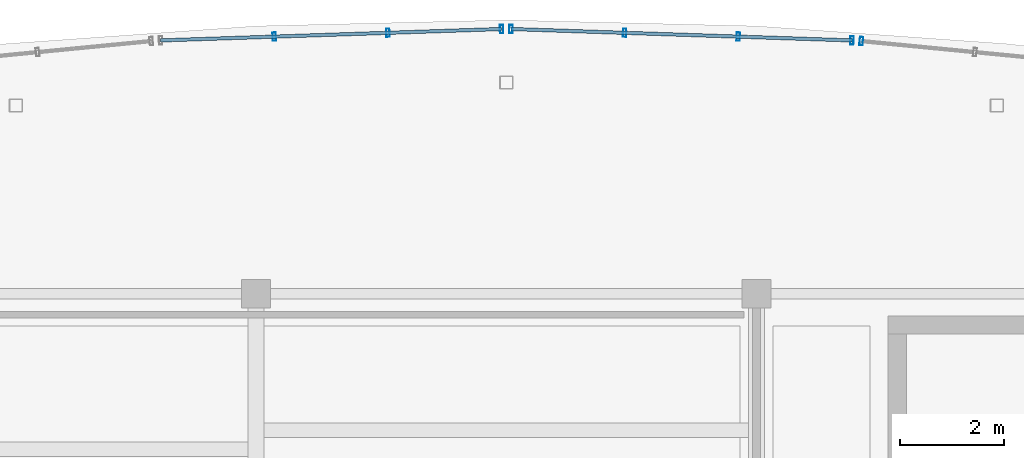
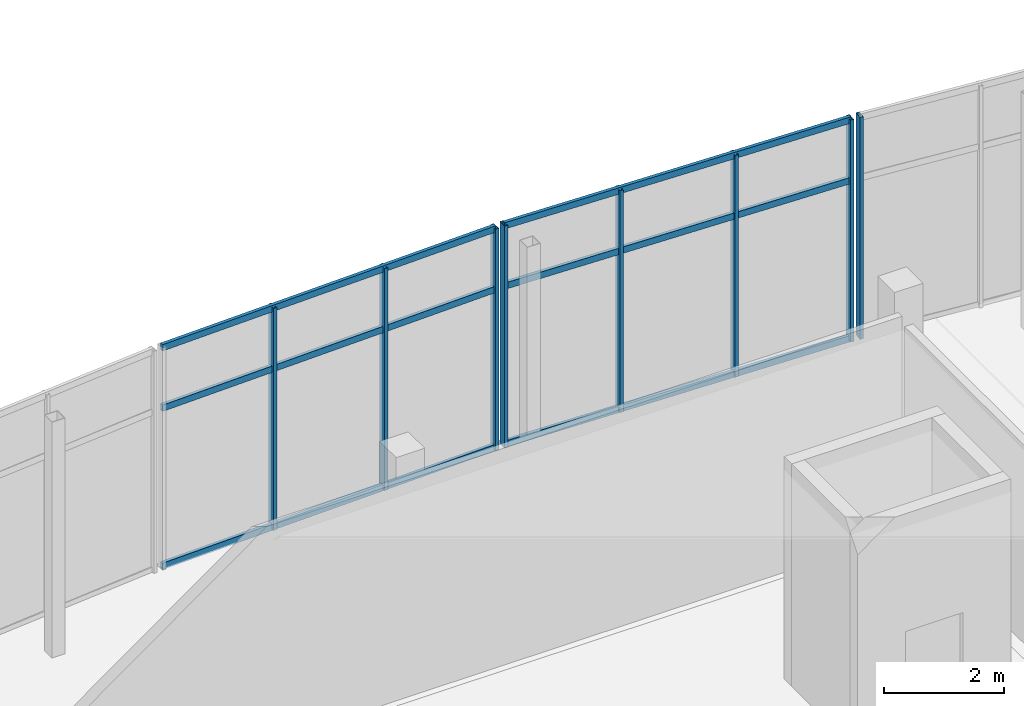
# One storey, part 96 of 157: 14 members, 3 elements without a shape of their own.
"""IFC4 building model written with IfcOpenShell, lengths in metres."""

from ifc_helpers import new_model, si_unit, direction, frame, origin, origin_2d, place, context, subcontext, project, spatial, hollow_rectangle, extrude, material, layer, layer_set, material_profile, profile_set, type_object, element, aggregate, save


model = new_model("IFC4")

# Units and contexts
model_context = context("Model", 3, precision=1e-05, world=origin(), true_north=direction((0.0, 1.0)))
body_context = subcontext(model_context, "Body", "Model", "MODEL_VIEW")
ifc_project = project(units=[si_unit("LENGTHUNIT", "METRE"), si_unit("AREAUNIT", "SQUARE_METRE"), si_unit("VOLUMEUNIT", "CUBIC_METRE"), si_unit("PLANEANGLEUNIT", "RADIAN"), si_unit("MASSUNIT", "GRAM", prefix="KILO")], contexts=[model_context])

# Site, building, storey
site_placement = place(None, origin())
site = spatial("IfcSite", under=ifc_project, at=site_placement, CompositionType="ELEMENT")
building_placement = place(site_placement, origin())
building = spatial("IfcBuilding", under=site, at=building_placement, Name="Chalmorin Arch Market", CompositionType="ELEMENT")
storey_placement = place(building_placement, frame((0.0, 0.0, 4.800048828125)))
storey = spatial("IfcBuildingStorey", under=building, at=storey_placement, Name="L01", CompositionType="ELEMENT", Elevation=4.800048828125)

# Curtain wall, members
ifc_material = material(Name="Aluminium 6063-T6", Category="aluminium")
ifc_layer_1 = layer(ifc_material, 0.159912109375)
ifc_layer_set_1 = layer_set([ifc_layer_1], Name="Aluminium 6063-T6")
curtain_wall_type_1 = type_object("IfcCurtainWallType", Name="CulinaryStudioCurtainWall-CW3-6540x4520", PredefinedType="NOTDEFINED", material=ifc_layer_set_1)
curtain_wall_1_placement = place(storey_placement, origin())
curtain_wall_1 = element("IfcCurtainWall", 1, at=curtain_wall_1_placement, inside=storey, type_object=curtain_wall_type_1, Name="CW-03-133", PredefinedType="NOTDEFINED")
ifc_material_profile_1 = material_profile(ifc_material, hollow_rectangle(XDim=0.06494140625, YDim=0.159912109375, WallThickness=0.00390625, at=origin_2d()), Name="ALU65X160X4")
ifc_profile_set_1 = profile_set([ifc_material_profile_1], Name="Aluminium 6063-T6")
member_type_1 = type_object("IfcMemberType", Name="CurtainWallMullion-65x160", PredefinedType="MULLION", material=ifc_profile_set_1)
member_1_placement = place(storey_placement, frame((77.14990234375, 122.930908203125, 0.0), z_axis=(0.0, 0.0, 1.0), x_axis=(0.999390827019, 0.034899496703, 0.0)))
member_1 = element("IfcMember", 2, at=member_1_placement, type_object=member_type_1, Name="ML-133-02", PredefinedType="MULLION", context=body_context, shape_type="SweptSolid", body=[
    extrude(hollow_rectangle(XDim=0.06494140625, YDim=0.159912109375, WallThickness=0.00390625, at=origin_2d()), origin(), (0.0, 0.0, 1.0), 4.52001953125),
])
member_2_placement = place(storey_placement, frame((79.330078125, 123.00390625, 0.0), z_axis=(0.0, 0.0, 1.0), x_axis=(0.999390827019, 0.034899496703, 0.0)))
member_2 = element("IfcMember", 3, at=member_2_placement, type_object=member_type_1, Name="ML-133-03", PredefinedType="MULLION", context=body_context, shape_type="SweptSolid", body=[
    extrude(hollow_rectangle(XDim=0.06494140625, YDim=0.159912109375, WallThickness=0.00390625, at=origin_2d()), origin(), (0.0, 0.0, 1.0), 4.52001953125),
])
member_3_placement = place(storey_placement, frame((81.510009765625, 123.076904296875, 0.0), z_axis=(0.0, 0.0, 1.0), x_axis=(0.999390827019, 0.034899496703, 0.0)))
member_3 = element("IfcMember", 4, at=member_3_placement, type_object=member_type_1, Name="ML-133-04", PredefinedType="MULLION", context=body_context, shape_type="SweptSolid", body=[
    extrude(hollow_rectangle(XDim=0.06494140625, YDim=0.159912109375, WallThickness=0.00390625, at=origin_2d()), origin(), (0.0, 0.0, 1.0), 4.52001953125),
])

curtain_wall_2_placement = place(storey_placement, origin())
curtain_wall_2 = element("IfcCurtainWall", 5, at=curtain_wall_2_placement, inside=storey, type_object=curtain_wall_type_1, Name="CW-03-136", PredefinedType="NOTDEFINED")
member_4_placement = place(storey_placement, frame((81.68994140625, 123.076904296875, 0.0), z_axis=(0.0, 0.0, 1.0), x_axis=(0.999390827019, -0.034899496703, 0.0)))
member_4 = element("IfcMember", 6, at=member_4_placement, type_object=member_type_1, Name="ML-136-01", PredefinedType="MULLION", context=body_context, shape_type="SweptSolid", body=[
    extrude(hollow_rectangle(XDim=0.06494140625, YDim=0.159912109375, WallThickness=0.00390625, at=origin_2d()), origin(), (0.0, 0.0, 1.0), 4.52001953125),
])
member_5_placement = place(storey_placement, frame((83.8701171875, 123.00390625, 0.0), z_axis=(0.0, 0.0, 1.0), x_axis=(0.999390827019, -0.034899496703, 0.0)))
member_5 = element("IfcMember", 7, at=member_5_placement, type_object=member_type_1, Name="ML-136-02", PredefinedType="MULLION", context=body_context, shape_type="SweptSolid", body=[
    extrude(hollow_rectangle(XDim=0.06494140625, YDim=0.159912109375, WallThickness=0.00390625, at=origin_2d()), origin(), (0.0, 0.0, 1.0), 4.52001953125),
])
member_6_placement = place(storey_placement, frame((86.050048828125, 122.930908203125, 0.0), z_axis=(0.0, 0.0, 1.0), x_axis=(0.999390827019, -0.034899496703, 0.0)))
member_6 = element("IfcMember", 8, at=member_6_placement, type_object=member_type_1, Name="ML-136-03", PredefinedType="MULLION", context=body_context, shape_type="SweptSolid", body=[
    extrude(hollow_rectangle(XDim=0.06494140625, YDim=0.159912109375, WallThickness=0.00390625, at=origin_2d()), origin(), (0.0, 0.0, 1.0), 4.52001953125),
])
member_7_placement = place(storey_placement, frame((88.22998046875, 122.85791015625, 0.0), z_axis=(0.0, 0.0, 1.0), x_axis=(0.999390827019, -0.034899496703, 0.0)))
member_7 = element("IfcMember", 9, at=member_7_placement, type_object=member_type_1, Name="ML-136-04", PredefinedType="MULLION", context=body_context, shape_type="SweptSolid", body=[
    extrude(hollow_rectangle(XDim=0.06494140625, YDim=0.159912109375, WallThickness=0.00390625, at=origin_2d()), origin(), (0.0, 0.0, 1.0), 4.52001953125),
])

# Curtain wall, member
ifc_layer_2 = layer(ifc_material, 0.159912109375)
ifc_layer_set_2 = layer_set([ifc_layer_2], Name="Aluminium 6063-T6")
curtain_wall_type_2 = type_object("IfcCurtainWallType", Name="CulinaryStudioCurtainWall-CW3-6570x4520", PredefinedType="NOTDEFINED", material=ifc_layer_set_2)
curtain_wall_3_placement = place(storey_placement, origin())
curtain_wall_3 = element("IfcCurtainWall", 10, at=curtain_wall_3_placement, inside=storey, type_object=curtain_wall_type_2, Name="CW-03-139", PredefinedType="NOTDEFINED")
member_8_placement = place(storey_placement, frame((88.40966796875, 122.84619140625, 0.0), z_axis=(0.0, 0.0, 1.0), x_axis=(0.994521895368, -0.104528463268, 0.0)))
member_8 = element("IfcMember", 11, at=member_8_placement, type_object=member_type_1, Name="ML-139-01", PredefinedType="MULLION", context=body_context, shape_type="SweptSolid", body=[
    extrude(hollow_rectangle(XDim=0.06494140625, YDim=0.159912109375, WallThickness=0.00390625, at=origin_2d()), origin(), (0.0, 0.0, 1.0), 4.52001953125),
])
aggregate(curtain_wall_3, [member_8])

# Member
ifc_material_profile_2 = material_profile(ifc_material, hollow_rectangle(XDim=0.06494140625, YDim=0.1298828125, WallThickness=0.00390625, at=origin_2d()), Name="ALU65X130X4")
ifc_profile_set_2 = profile_set([ifc_material_profile_2], Name="Aluminium 6063-T6")
member_type_2 = type_object("IfcMemberType", Name="CurtainWallTransom-65x130", PredefinedType="USERDEFINED", material=ifc_profile_set_2)
member_9_placement = place(storey_placement, frame((74.969970703125, 122.85791015625, 0.034912109375), z_axis=(0.999439843627, 0.033466385685, 0.0), x_axis=(-0.033466385685, 0.999439843627, 0.0)))
member_9 = element("IfcMember", 12, at=member_9_placement, type_object=member_type_2, Name="TR-133-01", ObjectType="TRANSOM", PredefinedType="USERDEFINED", context=body_context, shape_type="SweptSolid", body=[
    extrude(hollow_rectangle(XDim=0.06494140625, YDim=0.1298828125, WallThickness=0.00390625, at=origin_2d()), origin(), (0.0, 0.0, 1.0), 6.543701171875),
])

member_10_placement = place(storey_placement, frame((74.969970703125, 122.85791015625, 3.25439453125), z_axis=(0.999439843627, 0.033466385685, 0.0), x_axis=(-0.033466385685, 0.999439843627, 0.0)))
member_10 = element("IfcMember", 13, at=member_10_placement, type_object=member_type_2, Name="TR-133-02", ObjectType="TRANSOM", PredefinedType="USERDEFINED", context=body_context, shape_type="SweptSolid", body=[
    extrude(hollow_rectangle(XDim=0.06494140625, YDim=0.1298828125, WallThickness=0.00390625, at=origin_2d()), origin(), (0.0, 0.0, 1.0), 6.543701171875),
])

member_11_placement = place(storey_placement, frame((74.969970703125, 122.85791015625, 4.48486328125), z_axis=(0.999439843627, 0.033466385685, 0.0), x_axis=(-0.033466385685, 0.999439843627, 0.0)))
member_11 = element("IfcMember", 14, at=member_11_placement, type_object=member_type_2, Name="TR-133-03", ObjectType="TRANSOM", PredefinedType="USERDEFINED", context=body_context, shape_type="SweptSolid", body=[
    extrude(hollow_rectangle(XDim=0.06494140625, YDim=0.1298828125, WallThickness=0.00390625, at=origin_2d()), origin(), (0.0, 0.0, 1.0), 6.543701171875),
])

aggregate(curtain_wall_1, [member_1, member_2, member_3, member_9, member_10, member_11])

member_12_placement = place(storey_placement, frame((81.68994140625, 123.076904296875, 0.034912109375), z_axis=(0.999439843627, -0.033466385685, 0.0), x_axis=(0.033466385685, 0.999439843627, 0.0)))
member_12 = element("IfcMember", 15, at=member_12_placement, type_object=member_type_2, Name="TR-136-01", ObjectType="TRANSOM", PredefinedType="USERDEFINED", context=body_context, shape_type="SweptSolid", body=[
    extrude(hollow_rectangle(XDim=0.06494140625, YDim=0.1298828125, WallThickness=0.00390625, at=origin_2d()), origin(), (0.0, 0.0, 1.0), 6.543701171875),
])

member_13_placement = place(storey_placement, frame((81.68994140625, 123.076904296875, 3.25439453125), z_axis=(0.999439843627, -0.033466385685, 0.0), x_axis=(0.033466385685, 0.999439843627, 0.0)))
member_13 = element("IfcMember", 16, at=member_13_placement, type_object=member_type_2, Name="TR-136-02", ObjectType="TRANSOM", PredefinedType="USERDEFINED", context=body_context, shape_type="SweptSolid", body=[
    extrude(hollow_rectangle(XDim=0.06494140625, YDim=0.1298828125, WallThickness=0.00390625, at=origin_2d()), origin(), (0.0, 0.0, 1.0), 6.543701171875),
])

member_14_placement = place(storey_placement, frame((81.68994140625, 123.076904296875, 4.48486328125), z_axis=(0.999439843627, -0.033466385685, 0.0), x_axis=(0.033466385685, 0.999439843627, 0.0)))
member_14 = element("IfcMember", 17, at=member_14_placement, type_object=member_type_2, Name="TR-136-03", ObjectType="TRANSOM", PredefinedType="USERDEFINED", context=body_context, shape_type="SweptSolid", body=[
    extrude(hollow_rectangle(XDim=0.06494140625, YDim=0.1298828125, WallThickness=0.00390625, at=origin_2d()), origin(), (0.0, 0.0, 1.0), 6.543701171875),
])

aggregate(curtain_wall_2, [member_4, member_5, member_6, member_7, member_12, member_13, member_14])

save(model, "model.ifc")
